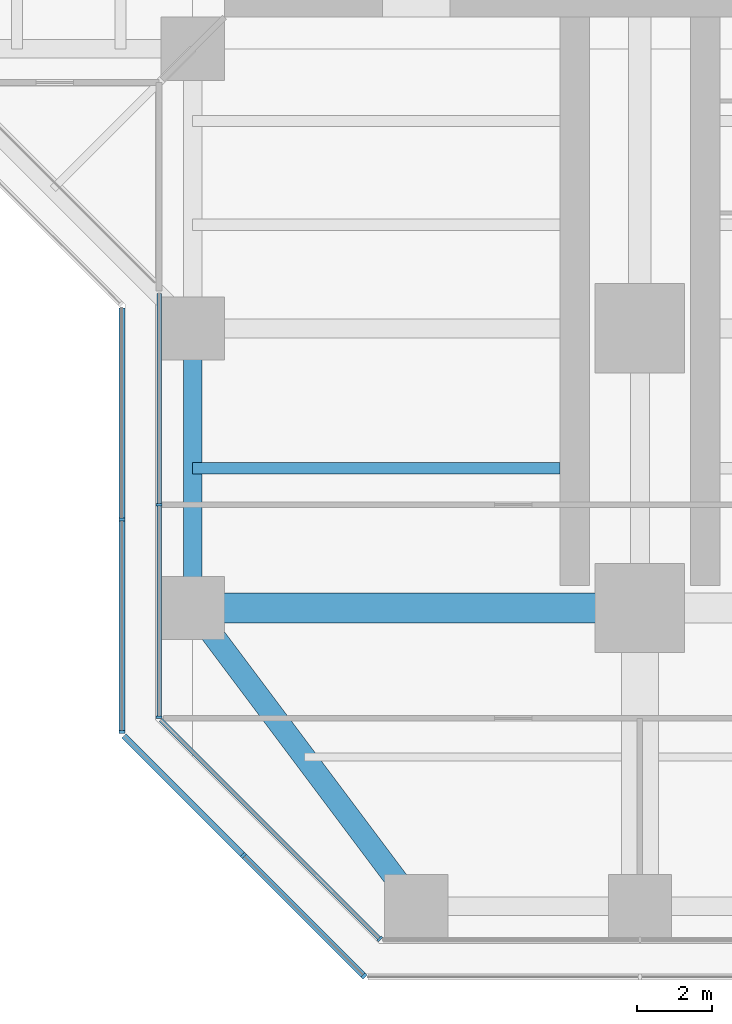
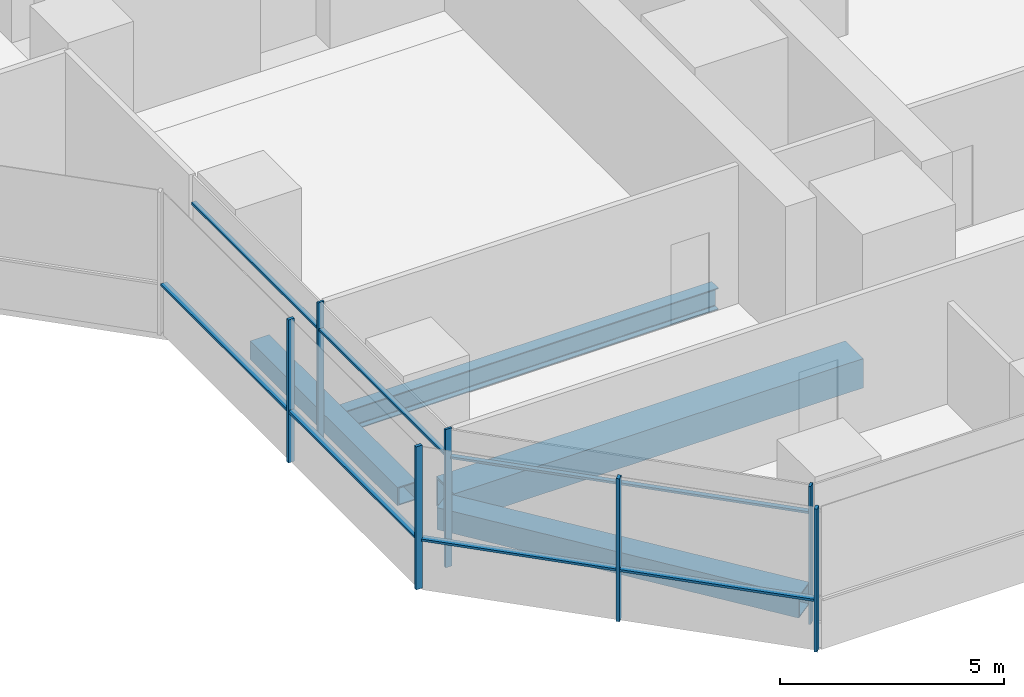
# One storey, part 2 of 22: 14 members, 4 beams, 4 elements without a shape of their own.
"""IFC4 building model written with IfcOpenShell, lengths in metres."""

from ifc_helpers import new_model, si_unit, direction, frame, origin, origin_2d, place, context, subcontext, project, spatial, rectangle, hollow_rectangle, i_section, extrude, material, material_profile, profile_set, type_object, element, aggregate, save


model = new_model("IFC4")

# Units and contexts
model_context = context("Model", 3, precision=1e-05, world=origin(), true_north=direction((0.0, 1.0)))
body_context = subcontext(model_context, "Body", "Model", "MODEL_VIEW")
ifc_project = project(units=[si_unit("LENGTHUNIT", "METRE"), si_unit("AREAUNIT", "SQUARE_METRE"), si_unit("VOLUMEUNIT", "CUBIC_METRE"), si_unit("PLANEANGLEUNIT", "RADIAN"), si_unit("MASSUNIT", "GRAM", prefix="KILO")], contexts=[model_context])

# Site, building, storey
site_placement = place(None, origin())
site = spatial("IfcSite", under=ifc_project, at=site_placement, CompositionType="ELEMENT")
building_placement = place(site_placement, origin())
building = spatial("IfcBuilding", under=site, at=building_placement, Name="Mizan Broadcast Tower", CompositionType="ELEMENT")
storey_placement = place(building_placement, frame((0.0, 0.0, 82.5)))
storey = spatial("IfcBuildingStorey", under=building, at=storey_placement, Name="L17", CompositionType="ELEMENT", Elevation=82.5)

# Beams
ifc_material_1 = material(Name="Steel S355", Category="steel")
ifc_material_profile_1 = material_profile(ifc_material_1, hollow_rectangle(XDim=0.5, YDim=0.5, WallThickness=0.030029296875, at=origin_2d()), Name="BOX 500x500x30")
ifc_profile_set_1 = profile_set([ifc_material_profile_1], Name="Steel S355")
beam_type_1 = type_object("IfcBeamType", Name="EDGE BEAM BOX 500x500x30", PredefinedType="SPANDREL", material=ifc_profile_set_1)
beam_1_placement = place(storey_placement, frame((-12.0, -19.949951171875, -0.3798828125), z_axis=(0.0, -1.0, 0.0), x_axis=(1.0, 0.0, 0.0)))
element("IfcBeam", 1, at=beam_1_placement, inside=storey, type_object=beam_type_1, Name="Edge beam BOX 500x500x30 L17 south arm", PredefinedType="SPANDREL", context=body_context, shape_type="SweptSolid", body=[
    extrude(hollow_rectangle(XDim=0.5, YDim=0.5, WallThickness=0.030029296875, at=origin_2d()), origin(), (0.0, 0.0, 1.0), 6.60009765625),
])
ifc_material_2 = material(Name="Steel S355", Category="steel")
ifc_material_profile_2 = material_profile(ifc_material_2, hollow_rectangle(XDim=0.60009765625, YDim=0.60009765625, WallThickness=0.030029296875, at=origin_2d()), Name="BOX 600x600x30")
ifc_profile_set_2 = profile_set([ifc_material_profile_2], Name="Steel S355")
beam_type_2 = type_object("IfcBeamType", Name="EDGE BEAM BOX 600x600x30", PredefinedType="SPANDREL", material=ifc_profile_set_2)
beam_2_placement = place(storey_placement, frame((-11.639892578125, -27.47998046875, -0.429931640625), z_axis=(0.599982243973, -0.800013316712, 0.0), x_axis=(0.800013316712, 0.599982243973, 0.0)))
element("IfcBeam", 2, at=beam_2_placement, inside=storey, type_object=beam_type_2, Name="Edge beam BOX 600x600x30 L17 south arm", PredefinedType="SPANDREL", context=body_context, shape_type="SweptSolid", body=[
    extrude(hollow_rectangle(XDim=0.60009765625, YDim=0.60009765625, WallThickness=0.030029296875, at=origin_2d()), origin(), (0.0, 0.0, 1.0), 8.7998046875),
])
ifc_material_3 = material(Name="Steel S460", Category="steel")
ifc_material_profile_3 = material_profile(ifc_material_3, hollow_rectangle(XDim=0.800048828125, YDim=0.800048828125, WallThickness=0.050048828125, at=origin_2d()), Name="BOX 800x800x50")
ifc_profile_set_3 = profile_set([ifc_material_profile_3], Name="Steel S460")
beam_type_3 = type_object("IfcBeamType", Name="GIRDER BOX 800x800x50", PredefinedType="BEAM", material=ifc_profile_set_3)
beam_3_placement = place(storey_placement, frame((-11.280029296875, -27.0, -0.530029296875), z_axis=(1.0, 0.0, 0.0), x_axis=(0.0, 1.0, 0.0)))
element("IfcBeam", 3, at=beam_3_placement, inside=storey, type_object=beam_type_3, Name="Girder BOX 800x800x50 L17 south arm", PredefinedType="BEAM", context=body_context, shape_type="SweptSolid", body=[
    extrude(hollow_rectangle(XDim=0.800048828125, YDim=0.800048828125, WallThickness=0.050048828125, at=origin_2d()), origin(), (0.0, 0.0, 1.0), 10.56005859375),
])

# Curtain wall, members
ifc_material_4 = material(Name="Aluminium framed glazing", Category="aluminium")
curtain_wall_type_1 = type_object("IfcCurtainWallType", Name="INNER SKIN LOW ZONE", PredefinedType="USERDEFINED", material=ifc_material_4)
curtain_wall_1_placement = place(storey_placement, origin())
curtain_wall_1 = element("IfcCurtainWall", 4, at=curtain_wall_1_placement, inside=storey, type_object=curtain_wall_type_1, Name="Inner skin low zone L17 S side", ObjectType="INNER SKIN LOW ZONE", PredefinedType="USERDEFINED")
ifc_material_5 = material(Name="Aluminium, pale anodised", Category="aluminium")
ifc_material_profile_4 = material_profile(ifc_material_5, rectangle(XDim=0.159912109375, YDim=0.06005859375, at=origin_2d()), Name="MULLION 160x60")
ifc_profile_set_4 = profile_set([ifc_material_profile_4], Name="Aluminium, pale anodised")
member_type_1 = type_object("IfcMemberType", Name="INNER SKIN MULLION 60x160", PredefinedType="MULLION", material=ifc_profile_set_4)
member_1_placement = place(storey_placement, frame((-12.89990234375, -24.229248046875, 0.0), z_axis=(0.0, 0.0, 1.0), x_axis=(1.0, 0.0, 0.0)))
member_1 = element("IfcMember", 5, at=member_1_placement, type_object=member_type_1, Name="Inner skin low zone L17 S side mullion 2", PredefinedType="MULLION", context=body_context, shape_type="SweptSolid", body=[
    extrude(rectangle(XDim=0.159912109375, YDim=0.06005859375, at=origin_2d()), origin(), (0.0, 0.0, 1.0), 3.77001953125),
])
member_2_placement = place(storey_placement, frame((-12.89990234375, -29.928466796875, 0.0), z_axis=(0.0, 0.0, 1.0), x_axis=(1.0, 0.0, 0.0)))
member_2 = element("IfcMember", 6, at=member_2_placement, type_object=member_type_1, Name="Inner skin low zone L17 S side mullion 3", PredefinedType="MULLION", context=body_context, shape_type="SweptSolid", body=[
    extrude(rectangle(XDim=0.159912109375, YDim=0.06005859375, at=origin_2d()), origin(), (0.0, 0.0, 1.0), 3.77001953125),
])

# Curtain wall, member
curtain_wall_2_placement = place(storey_placement, origin())
curtain_wall_2 = element("IfcCurtainWall", 7, at=curtain_wall_2_placement, inside=storey, type_object=curtain_wall_type_1, Name="Inner skin low zone L17 S chamfer", ObjectType="INNER SKIN LOW ZONE", PredefinedType="USERDEFINED")
member_3_placement = place(storey_placement, frame((-6.979736328125, -35.87890625, 0.0), z_axis=(0.0, 0.0, 1.0), x_axis=(0.707106781187, 0.707106781187, 0.0)))
member_3 = element("IfcMember", 8, at=member_3_placement, type_object=member_type_1, Name="Inner skin low zone L17 S chamfer mullion 2", PredefinedType="MULLION", context=body_context, shape_type="SweptSolid", body=[
    extrude(rectangle(XDim=0.159912109375, YDim=0.06005859375, at=origin_2d()), origin(), (0.0, 0.0, 1.0), 3.77001953125),
])

# Member
ifc_material_6 = material(Name="Aluminium, pale anodised", Category="aluminium")
ifc_material_profile_5 = material_profile(ifc_material_6, rectangle(XDim=0.1201171875, YDim=0.06005859375, at=origin_2d()), Name="TRANSOM 120x60")
ifc_profile_set_5 = profile_set([ifc_material_profile_5], Name="Aluminium, pale anodised")
member_type_2 = type_object("IfcMemberType", Name="INNER SKIN TRANSOM 60x120", PredefinedType="USERDEFINED", material=ifc_profile_set_5)
member_4_placement = place(storey_placement, frame((-12.89990234375, -18.56005859375, 3.030029296875), z_axis=(0.0, -1.0, 0.0), x_axis=(1.0, 0.0, 0.0)))
member_4 = element("IfcMember", 9, at=member_4_placement, type_object=member_type_2, Name="Inner skin low zone L17 S side transom 1.1", ObjectType="TRANSOM", PredefinedType="USERDEFINED", context=body_context, shape_type="SweptSolid", body=[
    extrude(rectangle(XDim=0.1201171875, YDim=0.06005859375, at=origin_2d()), origin(), (0.0, 0.0, 1.0), 5.63916015625),
])

member_5_placement = place(storey_placement, frame((-12.89990234375, -24.25927734375, 3.030029296875), z_axis=(0.0, -1.0, 0.0), x_axis=(1.0, 0.0, 0.0)))
member_5 = element("IfcMember", 10, at=member_5_placement, type_object=member_type_2, Name="Inner skin low zone L17 S side transom 2.1", ObjectType="TRANSOM", PredefinedType="USERDEFINED", context=body_context, shape_type="SweptSolid", body=[
    extrude(rectangle(XDim=0.1201171875, YDim=0.06005859375, at=origin_2d()), origin(), (0.0, 0.0, 1.0), 5.639404296875),
])

aggregate(curtain_wall_1, [member_1, member_2, member_4, member_5])

member_6_placement = place(storey_placement, frame((-12.857666015625, -30.0009765625, 3.030029296875), z_axis=(0.707106781187, -0.707106781187, 0.0), x_axis=(0.707106781187, 0.707106781187, 0.0)))
member_6 = element("IfcMember", 11, at=member_6_placement, type_object=member_type_2, Name="Inner skin low zone L17 S chamfer transom 1.1", ObjectType="TRANSOM", PredefinedType="USERDEFINED", context=body_context, shape_type="SweptSolid", body=[
    extrude(rectangle(XDim=0.1201171875, YDim=0.06005859375, at=origin_2d()), origin(), (0.0, 0.0, 1.0), 8.28271484375),
])

aggregate(curtain_wall_2, [member_3, member_6])

# Curtain wall, members
ifc_material_7 = material(Name="Aluminium framed glazing", Category="aluminium")
curtain_wall_type_2 = type_object("IfcCurtainWallType", Name="OUTER SKIN", PredefinedType="USERDEFINED", material=ifc_material_7)
curtain_wall_3_placement = place(storey_placement, origin())
curtain_wall_3 = element("IfcCurtainWall", 12, at=curtain_wall_3_placement, inside=storey, type_object=curtain_wall_type_2, Name="Outer skin L17 S side", ObjectType="OUTER SKIN", PredefinedType="USERDEFINED")
ifc_material_8 = material(Name="Aluminium, pale anodised", Category="aluminium")
ifc_material_profile_6 = material_profile(ifc_material_8, rectangle(XDim=0.159912109375, YDim=0.080078125, at=origin_2d()), Name="MULLION 160x80")
ifc_profile_set_6 = profile_set([ifc_material_profile_6], Name="Aluminium, pale anodised")
member_type_3 = type_object("IfcMemberType", Name="OUTER SKIN MULLION 80x160", PredefinedType="MULLION", material=ifc_profile_set_6)
member_7_placement = place(storey_placement, frame((-13.89990234375, -24.622802734375, 0.0), z_axis=(0.0, 0.0, 1.0), x_axis=(1.0, 0.0, 0.0)))
member_7 = element("IfcMember", 13, at=member_7_placement, type_object=member_type_3, Name="Outer skin L17 S side mullion 2", PredefinedType="MULLION", context=body_context, shape_type="SweptSolid", body=[
    extrude(rectangle(XDim=0.159912109375, YDim=0.080078125, at=origin_2d()), origin(), (0.0, 0.0, 1.0), 3.89990234375),
])
member_8_placement = place(storey_placement, frame((-13.89990234375, -30.332763671875, 0.0), z_axis=(0.0, 0.0, 1.0), x_axis=(1.0, 0.0, 0.0)))
member_8 = element("IfcMember", 14, at=member_8_placement, type_object=member_type_3, Name="Outer skin L17 S side mullion 3", PredefinedType="MULLION", context=body_context, shape_type="SweptSolid", body=[
    extrude(rectangle(XDim=0.159912109375, YDim=0.080078125, at=origin_2d()), origin(), (0.0, 0.0, 1.0), 3.89990234375),
])

curtain_wall_4_placement = place(storey_placement, origin())
curtain_wall_4 = element("IfcCurtainWall", 15, at=curtain_wall_4_placement, inside=storey, type_object=curtain_wall_type_2, Name="Outer skin L17 S chamfer", ObjectType="OUTER SKIN", PredefinedType="USERDEFINED")
member_9_placement = place(storey_placement, frame((-10.636474609375, -33.636474609375, 0.0), z_axis=(0.0, 0.0, 1.0), x_axis=(0.707106781187, 0.707106781187, 0.0)))
member_9 = element("IfcMember", 16, at=member_9_placement, type_object=member_type_3, Name="Outer skin L17 S chamfer mullion 2", PredefinedType="MULLION", context=body_context, shape_type="SweptSolid", body=[
    extrude(rectangle(XDim=0.159912109375, YDim=0.080078125, at=origin_2d()), origin(), (0.0, 0.0, 1.0), 3.89990234375),
])
member_10_placement = place(storey_placement, frame((-7.401123046875, -36.871826171875, 0.0), z_axis=(0.0, 0.0, 1.0), x_axis=(0.707106781187, 0.707106781187, 0.0)))
member_10 = element("IfcMember", 17, at=member_10_placement, type_object=member_type_3, Name="Outer skin L17 S chamfer mullion 3", PredefinedType="MULLION", context=body_context, shape_type="SweptSolid", body=[
    extrude(rectangle(XDim=0.159912109375, YDim=0.080078125, at=origin_2d()), origin(), (0.0, 0.0, 1.0), 3.89990234375),
])

# Member
ifc_material_9 = material(Name="Aluminium, pale anodised", Category="aluminium")
ifc_material_profile_7 = material_profile(ifc_material_9, rectangle(XDim=0.159912109375, YDim=0.06005859375, at=origin_2d()), Name="TRANSOM 160x60")
ifc_profile_set_7 = profile_set([ifc_material_profile_7], Name="Aluminium, pale anodised")
member_type_4 = type_object("IfcMemberType", Name="OUTER SKIN TRANSOM 60x160", PredefinedType="USERDEFINED", material=ifc_profile_set_7)
member_11_placement = place(storey_placement, frame((-13.89990234375, -18.952880859375, 1.39990234375), z_axis=(0.0, -1.0, 0.0), x_axis=(1.0, 0.0, 0.0)))
member_11 = element("IfcMember", 18, at=member_11_placement, type_object=member_type_4, Name="Outer skin L17 S side transom 1.1", ObjectType="TRANSOM", PredefinedType="USERDEFINED", context=body_context, shape_type="SweptSolid", body=[
    extrude(rectangle(XDim=0.159912109375, YDim=0.06005859375, at=origin_2d()), origin(), (0.0, 0.0, 1.0), 5.6298828125),
])

member_12_placement = place(storey_placement, frame((-13.89990234375, -24.662841796875, 1.39990234375), z_axis=(0.0, -1.0, 0.0), x_axis=(1.0, 0.0, 0.0)))
member_12 = element("IfcMember", 19, at=member_12_placement, type_object=member_type_4, Name="Outer skin L17 S side transom 2.1", ObjectType="TRANSOM", PredefinedType="USERDEFINED", context=body_context, shape_type="SweptSolid", body=[
    extrude(rectangle(XDim=0.159912109375, YDim=0.06005859375, at=origin_2d()), origin(), (0.0, 0.0, 1.0), 5.6298828125),
])

aggregate(curtain_wall_3, [member_7, member_8, member_11, member_12])

member_13_placement = place(storey_placement, frame((-13.843505859375, -30.429443359375, 1.39990234375), z_axis=(0.707106781187, -0.707106781187, 0.0), x_axis=(0.707106781187, 0.707106781187, 0.0)))
member_13 = element("IfcMember", 20, at=member_13_placement, type_object=member_type_4, Name="Outer skin L17 S chamfer transom 1.1", ObjectType="TRANSOM", PredefinedType="USERDEFINED", context=body_context, shape_type="SweptSolid", body=[
    extrude(rectangle(XDim=0.159912109375, YDim=0.06005859375, at=origin_2d()), origin(), (0.0, 0.0, 1.0), 4.495361328125),
])

member_14_placement = place(storey_placement, frame((-10.608154296875, -33.664794921875, 1.39990234375), z_axis=(0.707106781187, -0.707106781187, 0.0), x_axis=(0.707106781187, 0.707106781187, 0.0)))
member_14 = element("IfcMember", 21, at=member_14_placement, type_object=member_type_4, Name="Outer skin L17 S chamfer transom 2.1", ObjectType="TRANSOM", PredefinedType="USERDEFINED", context=body_context, shape_type="SweptSolid", body=[
    extrude(rectangle(XDim=0.159912109375, YDim=0.06005859375, at=origin_2d()), origin(), (0.0, 0.0, 1.0), 4.495361328125),
])

aggregate(curtain_wall_4, [member_9, member_10, member_13, member_14])

# Beam
ifc_material_10 = material(Name="Steel S355", Category="steel")
ifc_material_profile_8 = material_profile(ifc_material_10, i_section(OverallWidth=0.300048828125, OverallDepth=0.590087890625, WebThickness=0.012939453125, FlangeThickness=0.02490234375, FilletRadius=0.027099609375, at=origin_2d()), Name="HEA 600")
ifc_profile_set_8 = profile_set([ifc_material_profile_8], Name="Steel S355")
beam_type_4 = type_object("IfcBeamType", Name="SECONDARY BEAM HEA 600", PredefinedType="JOIST", material=ifc_profile_set_8)
beam_4_placement = place(storey_placement, frame((-12.0, -23.25, -0.425048828125), z_axis=(1.0, 0.0, 0.0), x_axis=(0.0, 1.0, 0.0)))
element("IfcBeam", 22, at=beam_4_placement, inside=storey, type_object=beam_type_4, Name="Secondary beam HEA 600 L17 south arm", PredefinedType="JOIST", context=body_context, shape_type="SweptSolid", body=[
    extrude(i_section(OverallWidth=0.300048828125, OverallDepth=0.590087890625, WebThickness=0.012939453125, FlangeThickness=0.02490234375, FilletRadius=0.027099609375, at=origin_2d()), origin(), (0.0, 0.0, 1.0), 9.85009765625),
])

save(model, "model.ifc")
